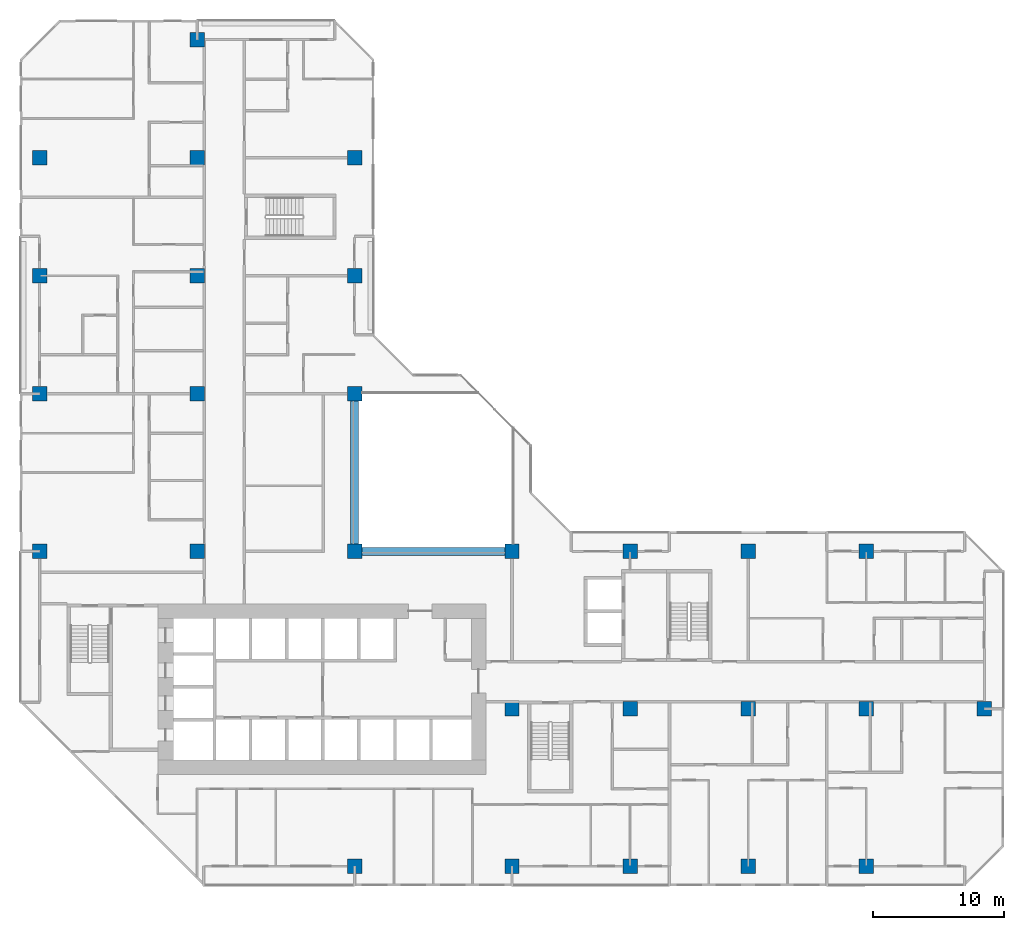
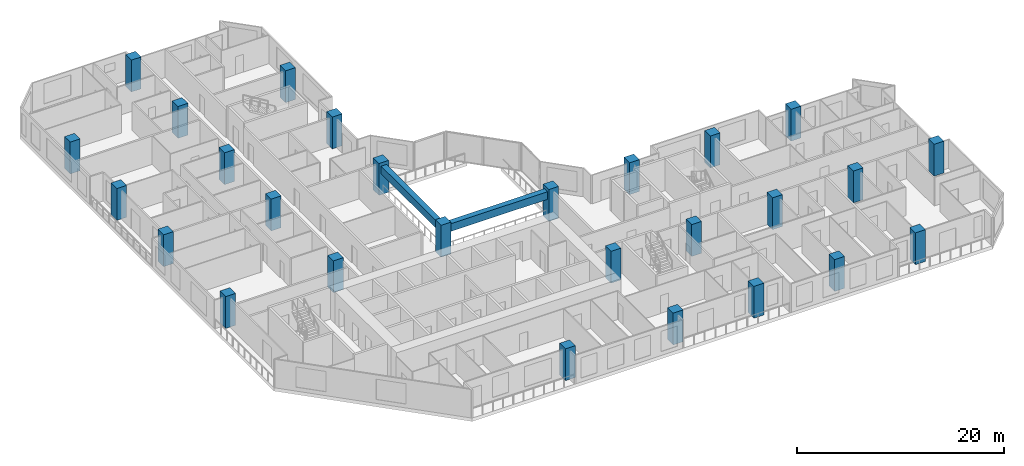
# One storey, part 1 of 15: 27 columns, 2 beams.
"""IFC4 building model written with IfcOpenShell, lengths in metres."""

from ifc_helpers import new_model, si_unit, direction, frame, origin, origin_2d, place, context, subcontext, project, spatial, rectangle, extrude, material, material_profile, profile_set, type_object, element, save


model = new_model("IFC4")

# Units and contexts
model_context = context("Model", 3, precision=1e-05, world=origin(), true_north=direction((0.0, 1.0)))
body_context = subcontext(model_context, "Body", "Model", "MODEL_VIEW")
ifc_project = project(units=[si_unit("LENGTHUNIT", "METRE"), si_unit("AREAUNIT", "SQUARE_METRE"), si_unit("VOLUMEUNIT", "CUBIC_METRE"), si_unit("PLANEANGLEUNIT", "RADIAN"), si_unit("MASSUNIT", "GRAM", prefix="KILO")], contexts=[model_context])

# Site, building, storey
site_placement = place(None, origin())
site = spatial("IfcSite", under=ifc_project, at=site_placement, CompositionType="ELEMENT")
building_placement = place(site_placement, origin())
building = spatial("IfcBuilding", under=site, at=building_placement, Name="Chenar Terraces", CompositionType="ELEMENT")
storey_placement = place(building_placement, frame((0.0, 0.0, 45.14990234375)))
storey = spatial("IfcBuildingStorey", under=building, at=storey_placement, Name="L08", CompositionType="ELEMENT", Elevation=45.14990234375)

# Columns
ifc_material_1 = material(Name="Concrete C70/85", Category="concrete")
ifc_material_profile_1 = material_profile(ifc_material_1, rectangle(XDim=1.10009765625, YDim=1.10009765625, at=origin_2d()), Name="C 1100 x 1100")
ifc_profile_set_1 = profile_set([ifc_material_profile_1], Name="Concrete C70/85")
column_type = type_object("IfcColumnType", Name="Column C 1100 x 1100 Concrete C70/85", PredefinedType="COLUMN", material=ifc_profile_set_1)
column_1_placement = place(storey_placement, frame((0.0, 24.0, 0.0), z_axis=(0.0, 0.0, 1.0), x_axis=(1.0, 0.0, 0.0)))
element("IfcColumn", 1, at=column_1_placement, inside=storey, type_object=column_type, Name="Column 5/G L08", PredefinedType="COLUMN", context=body_context, shape_type="SweptSolid", body=[
    extrude(rectangle(XDim=1.10009765625, YDim=1.10009765625, at=origin_2d()), origin(), (0.0, 0.0, 1.0), 3.75),
])
column_2_placement = place(storey_placement, frame((0.0, 36.0, 0.0), z_axis=(0.0, 0.0, 1.0), x_axis=(1.0, 0.0, 0.0)))
element("IfcColumn", 2, at=column_2_placement, inside=storey, type_object=column_type, Name="Column 5/H L08", PredefinedType="COLUMN", context=body_context, shape_type="SweptSolid", body=[
    extrude(rectangle(XDim=1.10009765625, YDim=1.10009765625, at=origin_2d()), origin(), (0.0, 0.0, 1.0), 3.75),
])
for number, where, z_axis, x_axis, name in (
    (3, (0.0, 45.0, 0.0), (0.0, 0.0, 1.0), (1.0, 0.0, 0.0), "Column 5/J L08"),
    (4, (0.0, 54.0, 0.0), (0.0, 0.0, 1.0), (1.0, 0.0, 0.0), "Column 5/K L08"),
    (5, (12.0, 24.0, 0.0), (0.0, 0.0, 1.0), (1.0, 0.0, 0.0), "Column 6/G L08"),
    (6, (12.0, 36.0, 0.0), (0.0, 0.0, 1.0), (1.0, 0.0, 0.0), "Column 6/H L08"),
    (7, (12.0, 45.0, 0.0), (0.0, 0.0, 1.0), (1.0, 0.0, 0.0), "Column 6/J L08"),
    (8, (12.0, 54.0, 0.0), (0.0, 0.0, 1.0), (1.0, 0.0, 0.0), "Column 6/K L08"),
    (9, (12.0, 63.0, 0.0), (0.0, 0.0, 1.0), (1.0, 0.0, 0.0), "Column 6/L L08"),
    (10, (24.0, 0.0, 0.0), (0.0, 0.0, 1.0), (1.0, 0.0, 0.0), "Column 7/E L08"),
    (11, (24.0, 24.0, 0.0), (0.0, 0.0, 1.0), (1.0, 0.0, 0.0), "Column 7/G L08"),
    (12, (24.0, 36.0, 0.0), (0.0, 0.0, 1.0), (1.0, 0.0, 0.0), "Column 7/H L08"),
    (13, (24.0, 45.0, 0.0), (0.0, 0.0, 1.0), (1.0, 0.0, 0.0), "Column 7/J L08"),
    (14, (24.0, 54.0, 0.0), (0.0, 0.0, 1.0), (1.0, 0.0, 0.0), "Column 7/K L08"),
    (15, (36.0, 0.0, 0.0), (0.0, 0.0, 1.0), (1.0, 0.0, 0.0), "Column 8/E L08"),
    (16, (36.0, 12.0, 0.0), (0.0, 0.0, 1.0), (1.0, 0.0, 0.0), "Column 8/F L08"),
    (17, (36.0, 24.0, 0.0), (0.0, 0.0, 1.0), (1.0, 0.0, 0.0), "Column 8/G L08"),
    (18, (45.0, 0.0, 0.0), (0.0, 0.0, 1.0), (1.0, 0.0, 0.0), "Column 9/E L08"),
    (19, (45.0, 12.0, 0.0), (0.0, 0.0, 1.0), (1.0, 0.0, 0.0), "Column 9/F L08"),
    (20, (45.0, 24.0, 0.0), (0.0, 0.0, 1.0), (1.0, 0.0, 0.0), "Column 9/G L08"),
    (21, (54.0, 0.0, 0.0), (0.0, 0.0, 1.0), (1.0, 0.0, 0.0), "Column 10/E L08"),
    (22, (54.0, 12.0, 0.0), (0.0, 0.0, 1.0), (1.0, 0.0, 0.0), "Column 10/F L08"),
    (23, (54.0, 24.0, 0.0), (0.0, 0.0, 1.0), (1.0, 0.0, 0.0), "Column 10/G L08"),
    (24, (63.0, 0.0, 0.0), (0.0, 0.0, 1.0), (1.0, 0.0, 0.0), "Column 11/E L08"),
    (25, (63.0, 12.0, 0.0), (0.0, 0.0, 1.0), (1.0, 0.0, 0.0), "Column 11/F L08"),
    (26, (63.0, 24.0, 0.0), (0.0, 0.0, 1.0), (1.0, 0.0, 0.0), "Column 11/G L08"),
    (27, (72.0, 12.0, 0.0), (0.0, 0.0, 1.0), (1.0, 0.0, 0.0), "Column 12/F L08"),
):
    element("IfcColumn", number, at=place(storey_placement, frame(where, z_axis=z_axis, x_axis=x_axis)), inside=storey, type_object=column_type, Name=name, PredefinedType="COLUMN", context=body_context, shape_type="SweptSolid", body=[
        extrude(rectangle(XDim=1.10009765625, YDim=1.10009765625, at=origin_2d()), origin(), (0.0, 0.0, 1.0), 3.75),
    ])

# Beams
ifc_material_2 = material(Name="Concrete C40/50", Category="concrete")
ifc_material_profile_2 = material_profile(ifc_material_2, rectangle(XDim=0.60009765625, YDim=0.89990234375, at=origin_2d()), Name="RC 600 x 900")
ifc_profile_set_2 = profile_set([ifc_material_profile_2], Name="Concrete C40/50")
beam_type = type_object("IfcBeamType", Name="Atrium edge beam 600 x 900 Concrete C40/50", PredefinedType="BEAM", material=ifc_profile_set_2)
for number, where, z_axis, x_axis, name in (
    (28, (24.550048828125, 24.0, 2.900146484375), (1.0, 0.0, 0.0), (0.0, 1.0, 0.0), "Atrium edge beam L09 1"),
    (29, (24.0, 35.449951171875, 2.900146484375), (0.0, -1.0, 0.0), (1.0, 0.0, 0.0), "Atrium edge beam L09 4"),
):
    element("IfcBeam", number, at=place(storey_placement, frame(where, z_axis=z_axis, x_axis=x_axis)), inside=storey, type_object=beam_type, Name=name, PredefinedType="BEAM", context=body_context, shape_type="SweptSolid", body=[
        extrude(rectangle(XDim=0.60009765625, YDim=0.89990234375, at=origin_2d()), origin(), (0.0, 0.0, 1.0), 10.89990234375),
    ])

save(model, "model.ifc")
